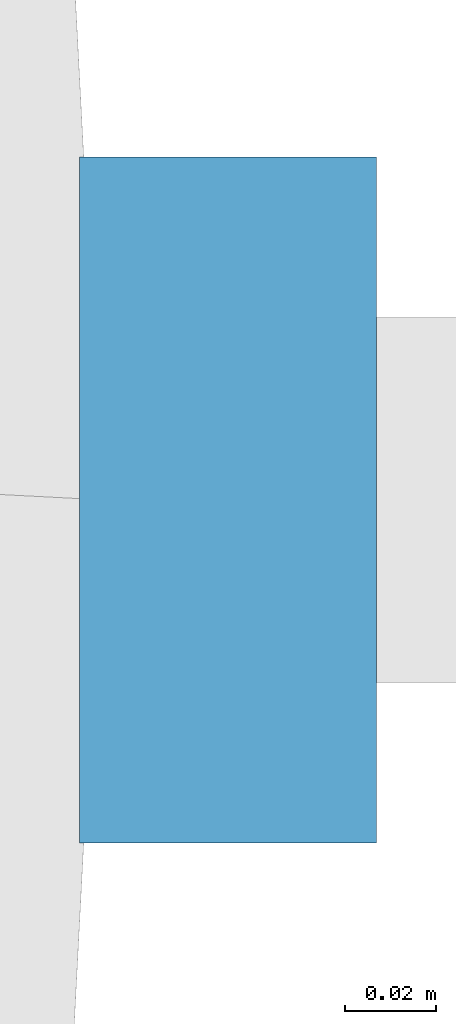
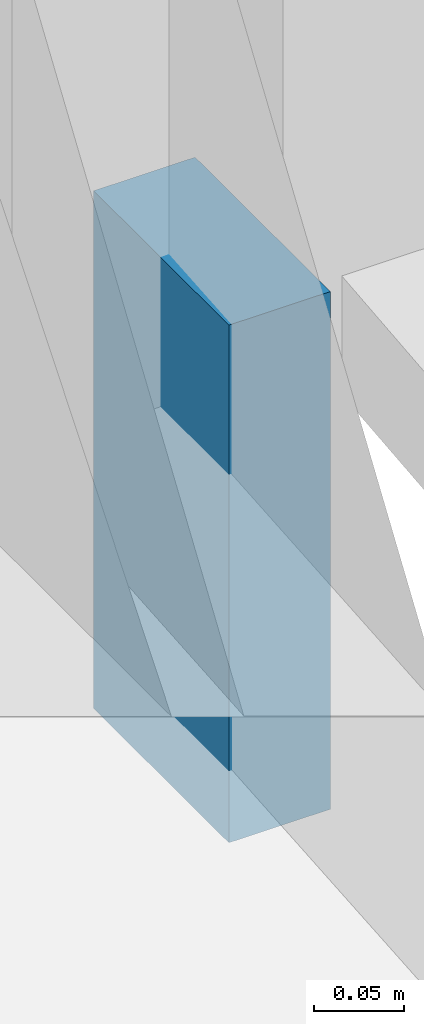
# One storey, part 16 of 20: 1 discrete accessory.
"""IFC4 building model written with IfcOpenShell, lengths in metres."""

import ifcopenshell
import ifcopenshell.guid

model = None  # the IFC model being written
_history = None  # IfcOwnerHistory: only IFC2X3 demands one
_inside = {}  # id of a spatial element -> (the spatial element, [elements in it])
_under = {}  # id of a project, library or spatial element -> (it, [spatial elements below it])
_declared = {}  # id of a project -> (the project, [libraries it declares])
_typed = {}  # id of a type object -> (the type object, [elements of that type])
_made_of = {}  # id of a material, layer set ... -> (it, [elements and type objects made of it])


def new_model(schema):
    """Start an empty IFC model of exactly this schema.

    Asked for "IFC4X3", IfcOpenShell would pick the latest addendum, in which some entities
    have other attributes; the version numbers below select the first issue.
    IFC2X3 requires an IfcOwnerHistory on every rooted entity: one is made here for all.
    """
    global model, _history
    if schema == "IFC4X3":
        model = ifcopenshell.file(schema_version=(4, 3, 0, 0))
    else:
        model = ifcopenshell.file(schema=schema)
    _inside.clear()
    _under.clear()
    _declared.clear()
    _typed.clear()
    _made_of.clear()
    _history = None
    if model.schema == "IFC2X3":
        org = make("IfcOrganization", Name="unknown")
        user = make(
            "IfcPersonAndOrganization",
            ThePerson=make("IfcPerson", FamilyName="unknown"),
            TheOrganization=org,
        )
        app = make(
            "IfcApplication",
            ApplicationDeveloper=org,
            Version="unknown",
            ApplicationFullName="unknown",
            ApplicationIdentifier="unknown",
        )
        _history = make(
            "IfcOwnerHistory",
            OwningUser=user,
            OwningApplication=app,
            ChangeAction="ADDED",
            CreationDate=0,
        )
    return model


def make(cls, **values):
    """One entity of the class cls with the attributes given. An attribute that is None is left unset."""
    return model.create_entity(
        cls, **{name: value for name, value in values.items() if value is not None}
    )


def rooted(cls, **values):
    """An entity with a GlobalId (a new one), such as an element, a storey or a relation."""
    return make(cls, GlobalId=ifcopenshell.guid.new(), OwnerHistory=_history, **values)


def si_unit(unit_type, name, prefix=None):
    """IfcSIUnit, for example si_unit("LENGTHUNIT", "METRE", prefix="MILLI")."""
    return make("IfcSIUnit", UnitType=unit_type, Prefix=prefix, Name=name)


def assignment(units):
    """IfcUnitAssignment: the units of a project."""
    return None if units is None else make("IfcUnitAssignment", Units=units)


def point(xyz):
    """IfcCartesianPoint."""
    return None if xyz is None else make("IfcCartesianPoint", Coordinates=xyz)


def direction(xyz):
    """IfcDirection."""
    return None if xyz is None else make("IfcDirection", DirectionRatios=xyz)


def frame(location, z_axis=None, x_axis=None):
    """IfcAxis2Placement3D, a coordinate frame: its origin and axes. An axis left out is left unset."""
    return make(
        "IfcAxis2Placement3D",
        Location=point(location),
        Axis=direction(z_axis),
        RefDirection=direction(x_axis),
    )


def frame_2d(location, x_axis=None):
    """IfcAxis2Placement2D, a coordinate frame in the plane: its origin and x axis."""
    return make(
        "IfcAxis2Placement2D", Location=point(location), RefDirection=direction(x_axis)
    )


def origin():
    """The frame at (0, 0, 0) with its axes left unset."""
    return frame((0.0, 0.0, 0.0))


def origin_2d():
    """The frame at (0, 0) in the plane with its x axis left unset."""
    return frame_2d((0.0, 0.0))


def place(relative_to, where):
    """IfcLocalPlacement: puts the frame where relative to a parent placement (None: the world)."""
    return make(
        "IfcLocalPlacement", PlacementRelTo=relative_to, RelativePlacement=where
    )


def context(
    kind, dimensions, precision=None, world=None, true_north=None, identifier=None
):
    """IfcGeometricRepresentationContext, for example the 3D "Model" context."""
    return make(
        "IfcGeometricRepresentationContext",
        ContextIdentifier=identifier,
        ContextType=kind,
        CoordinateSpaceDimension=dimensions,
        Precision=precision,
        WorldCoordinateSystem=world,
        TrueNorth=true_north,
    )


def subcontext(parent, identifier, kind, view, scale=None):
    """IfcGeometricRepresentationSubContext, for example "Body" below "Model"."""
    return make(
        "IfcGeometricRepresentationSubContext",
        ContextIdentifier=identifier,
        ContextType=kind,
        ParentContext=parent,
        TargetScale=scale,
        TargetView=view,
    )


def project(units=None, contexts=None):
    """IfcProject with its units and contexts."""
    return rooted(
        "IfcProject",
        Name="project",
        RepresentationContexts=contexts,
        UnitsInContext=assignment(units),
    )


def spatial(cls, under=None, at=None, **own):
    """A site, building, storey or space (cls), placed at a placement, below another one or the project."""
    s = rooted(cls, ObjectPlacement=at, **own)
    if under is not None:
        _under.setdefault(under.id(), (under, []))[1].append(s)
    return s


def profile(cls, at=None, kind="AREA", **sizes):
    """A parametric profile (cls). Its sizes go by their IFC names, for example OverallWidth=200.0."""
    return make(cls, ProfileType=kind, Position=at, **sizes)


def rectangle(**sizes):
    """IfcRectangleProfileDef."""
    return profile("IfcRectangleProfileDef", **sizes)


def extrude(swept, where, along, depth):
    """IfcExtrudedAreaSolid: the profile swept, set in the frame where, extruded along a direction by depth."""
    return make(
        "IfcExtrudedAreaSolid",
        SweptArea=swept,
        Position=where,
        ExtrudedDirection=direction(along),
        Depth=depth,
    )


def shape(context_of_items, identifier, shape_type, items):
    """IfcShapeRepresentation: the items that make up one representation, for example the "Body"."""
    return make(
        "IfcShapeRepresentation",
        ContextOfItems=context_of_items,
        RepresentationIdentifier=identifier,
        RepresentationType=shape_type,
        Items=items,
    )


def material(Name=None, Category=None):
    """IfcMaterial."""
    return make("IfcMaterial", Name=Name, Category=Category)


def made_of(thing, what):
    """Note that an element or type object is made of a material, layer set ...; save() writes the relation."""
    if what is not None:
        _made_of.setdefault(what.id(), (what, []))[1].append(thing)
    return thing


def type_object(cls, material=None, **own):
    """A type object (cls), such as IfcWallType, which elements share."""
    return made_of(rooted(cls, **own), material)


def element(
    cls,
    number,
    at=None,
    inside=None,
    cuts=None,
    type_object=None,
    material=None,
    context=None,
    identifier="Body",
    shape_type=None,
    held_by="IfcProductDefinitionShape",
    body=None,
    shapes=None,
    **own,
):
    """One element of the class cls, such as IfcWall. Its Tag is "e" and its number.

    at: its placement. inside: the storey or other place that contains it. cuts: it is an
    opening in that element (IfcRelVoidsElement). A single representation is given by context,
    identifier, shape_type and body (its items); several are given by shapes. held_by: the class
    of the entity that holds the representations. save() writes the other relations.
    """
    e = rooted(cls, Tag="e%d" % number, ObjectPlacement=at, **own)
    if body is not None:
        shapes = [shape(context, identifier, shape_type, body)]
    if shapes is not None:
        e.Representation = make(held_by, Representations=shapes)
    if inside is not None:
        _inside.setdefault(inside.id(), (inside, []))[1].append(e)
    if cuts is not None:
        rooted(
            "IfcRelVoidsElement", RelatingBuildingElement=cuts, RelatedOpeningElement=e
        )
    if type_object is not None:
        _typed.setdefault(type_object.id(), (type_object, []))[1].append(e)
    return made_of(e, material)


def aggregate(whole, parts):
    """IfcRelAggregates: a whole, such as a stair, and the parts it consists of."""
    return rooted("IfcRelAggregates", RelatingObject=whole, RelatedObjects=parts)


def save(model, path):
    """Write the relations noted so far, then the file.

    IfcRelAggregates (storeys below a building ...), IfcRelContainedInSpatialStructure (elements
    in a storey), IfcRelDefinesByType, IfcRelAssociatesMaterial and IfcRelDeclares: one each for
    every whole, place, type object, material and project.
    """
    for whole, parts in _under.values():
        aggregate(whole, parts)
    for where, things in _inside.values():
        rooted(
            "IfcRelContainedInSpatialStructure",
            RelatedElements=things,
            RelatingStructure=where,
        )
    for kind, things in _typed.values():
        rooted("IfcRelDefinesByType", RelatedObjects=things, RelatingType=kind)
    for what, things in _made_of.values():
        rooted("IfcRelAssociatesMaterial", RelatedObjects=things, RelatingMaterial=what)
    for by, libraries in _declared.values():
        rooted("IfcRelDeclares", RelatingContext=by, RelatedDefinitions=libraries)
    model.write(path)


model = new_model("IFC4")

# Units and contexts
model_context = context("Model", 3, precision=1e-05, world=origin(), true_north=direction((0.0, 1.0)))
body_context = subcontext(model_context, "Body", "Model", "MODEL_VIEW")
ifc_project = project(units=[si_unit("LENGTHUNIT", "METRE"), si_unit("AREAUNIT", "SQUARE_METRE"), si_unit("VOLUMEUNIT", "CUBIC_METRE"), si_unit("PLANEANGLEUNIT", "RADIAN"), si_unit("MASSUNIT", "GRAM", prefix="KILO")], contexts=[model_context])

# Site, building, storey
site_placement = place(None, origin())
site = spatial("IfcSite", under=ifc_project, at=site_placement, CompositionType="ELEMENT")
building_placement = place(site_placement, origin())
building = spatial("IfcBuilding", under=site, at=building_placement, Name="Ghaith Harvest Tower", CompositionType="ELEMENT")
storey_placement = place(building_placement, frame((0.0, 0.0, 30.0)))
storey = spatial("IfcBuildingStorey", under=building, at=storey_placement, Name="L06", CompositionType="ELEMENT", Elevation=30.0)

# Discrete accessory
ifc_material = material(Name="Stainless steel grade 1.4401", Category="steel")
discrete_accessory_type = type_object("IfcDiscreteAccessoryType", Name="CURTAIN WALL BRACKET 65", PredefinedType="BRACKET", material=ifc_material)
discrete_accessory_placement = place(storey_placement, frame((34.152587890625, 0.0, -0.25), z_axis=(0.0, 0.0, 1.0), x_axis=(1.0, 0.0, 0.0)))
element("IfcDiscreteAccessory", 1, at=discrete_accessory_placement, inside=storey, type_object=discrete_accessory_type, Name="CW-F bracket 1 bay 01 L06", PredefinedType="BRACKET", context=body_context, shape_type="SweptSolid", body=[
    extrude(rectangle(XDim=0.06494140625, YDim=0.14990234375, at=origin_2d()), origin(), (0.0, 0.0, 1.0), 0.35009765625),
])

save(model, "model.ifc")
